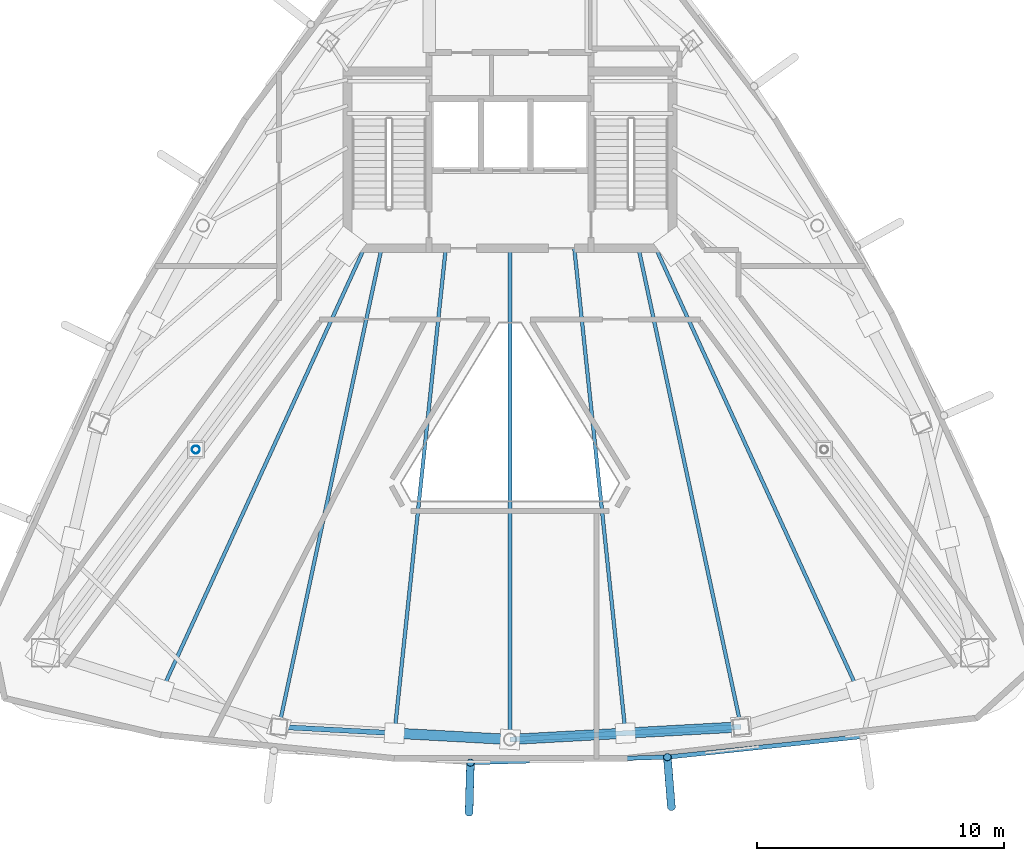
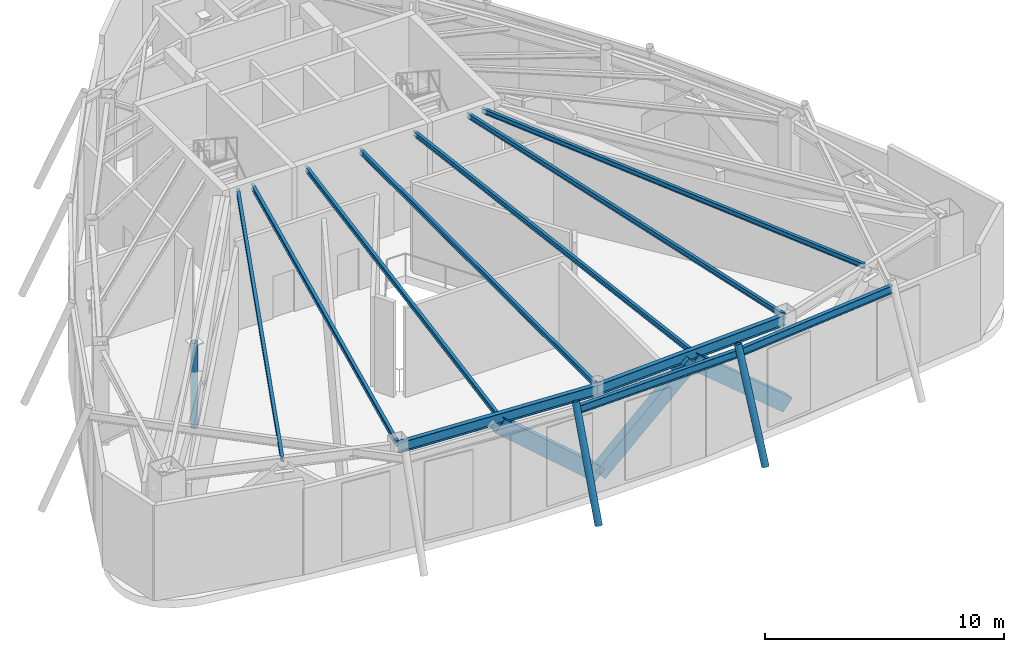
# One storey, part 2 of 9: 11 beams, 6 members.
"""IFC4 building model written with IfcOpenShell, lengths in metres."""

import ifcopenshell
import ifcopenshell.guid

model = None  # the IFC model being written
_history = None  # IfcOwnerHistory: only IFC2X3 demands one
_inside = {}  # id of a spatial element -> (the spatial element, [elements in it])
_under = {}  # id of a project, library or spatial element -> (it, [spatial elements below it])
_declared = {}  # id of a project -> (the project, [libraries it declares])
_typed = {}  # id of a type object -> (the type object, [elements of that type])
_made_of = {}  # id of a material, layer set ... -> (it, [elements and type objects made of it])


def new_model(schema):
    """Start an empty IFC model of exactly this schema.

    Asked for "IFC4X3", IfcOpenShell would pick the latest addendum, in which some entities
    have other attributes; the version numbers below select the first issue.
    IFC2X3 requires an IfcOwnerHistory on every rooted entity: one is made here for all.
    """
    global model, _history
    if schema == "IFC4X3":
        model = ifcopenshell.file(schema_version=(4, 3, 0, 0))
    else:
        model = ifcopenshell.file(schema=schema)
    _inside.clear()
    _under.clear()
    _declared.clear()
    _typed.clear()
    _made_of.clear()
    _history = None
    if model.schema == "IFC2X3":
        org = make("IfcOrganization", Name="unknown")
        user = make(
            "IfcPersonAndOrganization",
            ThePerson=make("IfcPerson", FamilyName="unknown"),
            TheOrganization=org,
        )
        app = make(
            "IfcApplication",
            ApplicationDeveloper=org,
            Version="unknown",
            ApplicationFullName="unknown",
            ApplicationIdentifier="unknown",
        )
        _history = make(
            "IfcOwnerHistory",
            OwningUser=user,
            OwningApplication=app,
            ChangeAction="ADDED",
            CreationDate=0,
        )
    return model


def make(cls, **values):
    """One entity of the class cls with the attributes given. An attribute that is None is left unset."""
    return model.create_entity(
        cls, **{name: value for name, value in values.items() if value is not None}
    )


def rooted(cls, **values):
    """An entity with a GlobalId (a new one), such as an element, a storey or a relation."""
    return make(cls, GlobalId=ifcopenshell.guid.new(), OwnerHistory=_history, **values)


def si_unit(unit_type, name, prefix=None):
    """IfcSIUnit, for example si_unit("LENGTHUNIT", "METRE", prefix="MILLI")."""
    return make("IfcSIUnit", UnitType=unit_type, Prefix=prefix, Name=name)


def assignment(units):
    """IfcUnitAssignment: the units of a project."""
    return None if units is None else make("IfcUnitAssignment", Units=units)


def point(xyz):
    """IfcCartesianPoint."""
    return None if xyz is None else make("IfcCartesianPoint", Coordinates=xyz)


def direction(xyz):
    """IfcDirection."""
    return None if xyz is None else make("IfcDirection", DirectionRatios=xyz)


def frame(location, z_axis=None, x_axis=None):
    """IfcAxis2Placement3D, a coordinate frame: its origin and axes. An axis left out is left unset."""
    return make(
        "IfcAxis2Placement3D",
        Location=point(location),
        Axis=direction(z_axis),
        RefDirection=direction(x_axis),
    )


def frame_2d(location, x_axis=None):
    """IfcAxis2Placement2D, a coordinate frame in the plane: its origin and x axis."""
    return make(
        "IfcAxis2Placement2D", Location=point(location), RefDirection=direction(x_axis)
    )


def origin():
    """The frame at (0, 0, 0) with its axes left unset."""
    return frame((0.0, 0.0, 0.0))


def origin_2d():
    """The frame at (0, 0) in the plane with its x axis left unset."""
    return frame_2d((0.0, 0.0))


def place(relative_to, where):
    """IfcLocalPlacement: puts the frame where relative to a parent placement (None: the world)."""
    return make(
        "IfcLocalPlacement", PlacementRelTo=relative_to, RelativePlacement=where
    )


def context(
    kind, dimensions, precision=None, world=None, true_north=None, identifier=None
):
    """IfcGeometricRepresentationContext, for example the 3D "Model" context."""
    return make(
        "IfcGeometricRepresentationContext",
        ContextIdentifier=identifier,
        ContextType=kind,
        CoordinateSpaceDimension=dimensions,
        Precision=precision,
        WorldCoordinateSystem=world,
        TrueNorth=true_north,
    )


def subcontext(parent, identifier, kind, view, scale=None):
    """IfcGeometricRepresentationSubContext, for example "Body" below "Model"."""
    return make(
        "IfcGeometricRepresentationSubContext",
        ContextIdentifier=identifier,
        ContextType=kind,
        ParentContext=parent,
        TargetScale=scale,
        TargetView=view,
    )


def project(units=None, contexts=None):
    """IfcProject with its units and contexts."""
    return rooted(
        "IfcProject",
        Name="project",
        RepresentationContexts=contexts,
        UnitsInContext=assignment(units),
    )


def spatial(cls, under=None, at=None, **own):
    """A site, building, storey or space (cls), placed at a placement, below another one or the project."""
    s = rooted(cls, ObjectPlacement=at, **own)
    if under is not None:
        _under.setdefault(under.id(), (under, []))[1].append(s)
    return s


def profile(cls, at=None, kind="AREA", **sizes):
    """A parametric profile (cls). Its sizes go by their IFC names, for example OverallWidth=200.0."""
    return make(cls, ProfileType=kind, Position=at, **sizes)


def hollow_rectangle(**sizes):
    """IfcRectangleHollowProfileDef."""
    return profile("IfcRectangleHollowProfileDef", **sizes)


def hollow_circle(**sizes):
    """IfcCircleHollowProfileDef."""
    return profile("IfcCircleHollowProfileDef", **sizes)


def i_section(**sizes):
    """IfcIShapeProfileDef."""
    return profile("IfcIShapeProfileDef", **sizes)


def extrude(swept, where, along, depth):
    """IfcExtrudedAreaSolid: the profile swept, set in the frame where, extruded along a direction by depth."""
    return make(
        "IfcExtrudedAreaSolid",
        SweptArea=swept,
        Position=where,
        ExtrudedDirection=direction(along),
        Depth=depth,
    )


def shape(context_of_items, identifier, shape_type, items):
    """IfcShapeRepresentation: the items that make up one representation, for example the "Body"."""
    return make(
        "IfcShapeRepresentation",
        ContextOfItems=context_of_items,
        RepresentationIdentifier=identifier,
        RepresentationType=shape_type,
        Items=items,
    )


def material(Name=None, Category=None):
    """IfcMaterial."""
    return make("IfcMaterial", Name=Name, Category=Category)


def material_profile(
    of_material, cross_section, Name=None, Category=None, Priority=None
):
    """IfcMaterialProfile: a cross section and its material."""
    return make(
        "IfcMaterialProfile",
        Name=Name,
        Material=of_material,
        Profile=cross_section,
        Priority=Priority,
        Category=Category,
    )


def profile_set(profiles, Name=None, composite=None):
    """IfcMaterialProfileSet."""
    return make(
        "IfcMaterialProfileSet",
        Name=Name,
        MaterialProfiles=profiles,
        CompositeProfile=composite,
    )


def made_of(thing, what):
    """Note that an element or type object is made of a material, layer set ...; save() writes the relation."""
    if what is not None:
        _made_of.setdefault(what.id(), (what, []))[1].append(thing)
    return thing


def type_object(cls, material=None, **own):
    """A type object (cls), such as IfcWallType, which elements share."""
    return made_of(rooted(cls, **own), material)


def element(
    cls,
    number,
    at=None,
    inside=None,
    cuts=None,
    type_object=None,
    material=None,
    context=None,
    identifier="Body",
    shape_type=None,
    held_by="IfcProductDefinitionShape",
    body=None,
    shapes=None,
    **own,
):
    """One element of the class cls, such as IfcWall. Its Tag is "e" and its number.

    at: its placement. inside: the storey or other place that contains it. cuts: it is an
    opening in that element (IfcRelVoidsElement). A single representation is given by context,
    identifier, shape_type and body (its items); several are given by shapes. held_by: the class
    of the entity that holds the representations. save() writes the other relations.
    """
    e = rooted(cls, Tag="e%d" % number, ObjectPlacement=at, **own)
    if body is not None:
        shapes = [shape(context, identifier, shape_type, body)]
    if shapes is not None:
        e.Representation = make(held_by, Representations=shapes)
    if inside is not None:
        _inside.setdefault(inside.id(), (inside, []))[1].append(e)
    if cuts is not None:
        rooted(
            "IfcRelVoidsElement", RelatingBuildingElement=cuts, RelatedOpeningElement=e
        )
    if type_object is not None:
        _typed.setdefault(type_object.id(), (type_object, []))[1].append(e)
    return made_of(e, material)


def aggregate(whole, parts):
    """IfcRelAggregates: a whole, such as a stair, and the parts it consists of."""
    return rooted("IfcRelAggregates", RelatingObject=whole, RelatedObjects=parts)


def save(model, path):
    """Write the relations noted so far, then the file.

    IfcRelAggregates (storeys below a building ...), IfcRelContainedInSpatialStructure (elements
    in a storey), IfcRelDefinesByType, IfcRelAssociatesMaterial and IfcRelDeclares: one each for
    every whole, place, type object, material and project.
    """
    for whole, parts in _under.values():
        aggregate(whole, parts)
    for where, things in _inside.values():
        rooted(
            "IfcRelContainedInSpatialStructure",
            RelatedElements=things,
            RelatingStructure=where,
        )
    for kind, things in _typed.values():
        rooted("IfcRelDefinesByType", RelatedObjects=things, RelatingType=kind)
    for what, things in _made_of.values():
        rooted("IfcRelAssociatesMaterial", RelatedObjects=things, RelatingMaterial=what)
    for by, libraries in _declared.values():
        rooted("IfcRelDeclares", RelatingContext=by, RelatedDefinitions=libraries)
    model.write(path)


model = new_model("IFC4")

# Units and contexts
model_context = context("Model", 3, precision=1e-05, world=origin(), true_north=direction((0.0, 1.0)))
body_context = subcontext(model_context, "Body", "Model", "MODEL_VIEW")
ifc_project = project(units=[si_unit("LENGTHUNIT", "METRE"), si_unit("AREAUNIT", "SQUARE_METRE"), si_unit("VOLUMEUNIT", "CUBIC_METRE"), si_unit("PLANEANGLEUNIT", "RADIAN"), si_unit("MASSUNIT", "GRAM", prefix="KILO")], contexts=[model_context])

# Site, building, storey
site_placement = place(None, origin())
site = spatial("IfcSite", under=ifc_project, at=site_placement, CompositionType="ELEMENT")
building_placement = place(site_placement, origin())
building = spatial("IfcBuilding", under=site, at=building_placement, Name="Orvanel Arch Residences", CompositionType="ELEMENT")
storey_placement = place(building_placement, frame((0.0, 0.0, 281.0)))
storey = spatial("IfcBuildingStorey", under=building, at=storey_placement, Name="L80", CompositionType="ELEMENT", Elevation=281.0)

# Beams
ifc_material_1 = material(Name="Structural steel AS/NZS 3679.1 Grade 300 (300 MPa)", Category="steel")
ifc_material_profile_1 = material_profile(ifc_material_1, i_section(OverallWidth=0.14599609375, OverallDepth=0.251953125, WebThickness=0.006103515625, FlangeThickness=0.008544921875, at=origin_2d()), Name="250UB31.4")
ifc_profile_set_1 = profile_set([ifc_material_profile_1], Name="Structural steel AS/NZS 3679.1 Grade 300 (300 MPa)")
beam_type_1 = type_object("IfcBeamType", Name="BJ-250UB", PredefinedType="JOIST", material=ifc_profile_set_1)
for number, where, z_axis, x_axis, name in (
    (1, (27.800048828125, 26.72509765625, 4.72412109375), (-0.209547604985, -0.977798446125, 0.0), (0.977798446125, -0.209547604985, 0.0), "L80 SW Wing Floor Joist"),
    (2, (38.199951171875, 26.72509765625, 4.72412109375), (0.209547604985, -0.977798446125, 0.0), (0.977798446125, 0.209547604985, 0.0), "L80 SE Wing Floor Joist"),
):
    element("IfcBeam", number, at=place(storey_placement, frame(where, z_axis=z_axis, x_axis=x_axis)), inside=storey, type_object=beam_type_1, Name=name, PredefinedType="JOIST", context=body_context, shape_type="SweptSolid", body=[
        extrude(i_section(OverallWidth=0.14599609375, OverallDepth=0.251953125, WebThickness=0.006103515625, FlangeThickness=0.008544921875, at=origin_2d()), origin(), (0.0, 0.0, 1.0), 19.809814453125),
    ])
beam_1_placement = place(storey_placement, frame((33.0, 26.72509765625, 4.72412109375), z_axis=(0.0, -1.0, 0.0), x_axis=(1.0, 0.0, 0.0)))
element("IfcBeam", 3, at=beam_1_placement, inside=storey, type_object=beam_type_1, Name="L80 SSW Wing Floor Joist", PredefinedType="JOIST", context=body_context, shape_type="SweptSolid", body=[
    extrude(i_section(OverallWidth=0.14599609375, OverallDepth=0.251953125, WebThickness=0.006103515625, FlangeThickness=0.008544921875, at=origin_2d()), origin(), (0.0, 0.0, 1.0), 19.881103515625),
])
for number, where, z_axis, x_axis, name in (
    (4, (30.39990234375, 26.72509765625, 4.72412109375), (-0.105143936131, -0.994457014, 0.0), (0.994457014, -0.105143936131, 0.0), "L80 WSW2 Wing Floor Joist"),
    (5, (35.60009765625, 26.72509765625, 4.72412109375), (0.105143936131, -0.994457014, 0.0), (0.994457014, 0.105143936131, 0.0), "L80 ESE2 Wing Floor Joist"),
):
    element("IfcBeam", number, at=place(storey_placement, frame(where, z_axis=z_axis, x_axis=x_axis)), inside=storey, type_object=beam_type_1, Name=name, PredefinedType="JOIST", context=body_context, shape_type="SweptSolid", body=[
        extrude(i_section(OverallWidth=0.14599609375, OverallDepth=0.251953125, WebThickness=0.006103515625, FlangeThickness=0.008544921875, at=origin_2d()), origin(), (0.0, 0.0, 1.0), 19.734375),
    ])
for number, where, z_axis, x_axis, name in (
    (6, (27.10009765625, 26.72509765625, 4.72412109375), (-0.416009574066, -0.909360233508, 0.0), (0.909360233508, -0.416009574066, 0.0), "L80 JADD1 Wing Floor Joist"),
    (7, (38.89990234375, 26.72509765625, 4.72412109375), (0.416009574066, -0.909360233508, 0.0), (0.909360233508, 0.416009574066, 0.0), "L80 JADD2 Wing Floor Joist"),
):
    element("IfcBeam", number, at=place(storey_placement, frame(where, z_axis=z_axis, x_axis=x_axis)), inside=storey, type_object=beam_type_1, Name=name, PredefinedType="JOIST", context=body_context, shape_type="SweptSolid", body=[
        extrude(i_section(OverallWidth=0.14599609375, OverallDepth=0.251953125, WebThickness=0.006103515625, FlangeThickness=0.008544921875, at=origin_2d()), origin(), (0.0, 0.0, 1.0), 19.653564453125),
    ])

# Members
ifc_material_2 = material(Name="Structural steel AS/NZS 3678 Grade 350", Category="steel")
ifc_material_profile_2 = material_profile(ifc_material_2, hollow_rectangle(XDim=0.419921875, YDim=0.719970703125, WallThickness=0.02490234375, at=origin_2d()), Name="RHS720x420x25")
ifc_profile_set_2 = profile_set([ifc_material_profile_2], Name="Structural steel AS/NZS 3678 Grade 350")
member_type_1 = type_object("IfcMemberType", Name="BR-720RHS", PredefinedType="BRACE", material=ifc_profile_set_2)
for number, where, z_axis, x_axis, name in (
    (8, (33.0, 6.843994140625, 0.300048828125), (-0.759175913478, 0.041588361441, 0.649555494617), (-0.054698915632, -0.998502893651, 0.0), "L80 Belt-Truss Chevron 03.2"),
    (9, (33.0, 6.843994140625, 0.300048828125), (0.759175913478, 0.041588361441, 0.649555494617), (-0.054698915632, 0.998502893651, 0.0), "L80 Belt-Truss Chevron 04.1"),
):
    element("IfcMember", number, at=place(storey_placement, frame(where, z_axis=z_axis, x_axis=x_axis)), inside=storey, type_object=member_type_1, Name=name, PredefinedType="BRACE", context=body_context, shape_type="SweptSolid", body=[
        extrude(hollow_rectangle(XDim=0.419921875, YDim=0.719970703125, WallThickness=0.02490234375, at=origin_2d()), origin(), (0.0, 0.0, 1.0), 6.157958984375),
    ])
member_1_placement = place(storey_placement, frame((42.35107421875, 7.35498046875, 0.300048828125), z_axis=(-0.759249328151, -0.04138549045, 0.6494826394), x_axis=(0.054427635214, -0.998517717682, 0.0)))
element("IfcMember", 10, at=member_1_placement, inside=storey, type_object=member_type_1, Name="L80 Belt-Truss Chevron 04.2", PredefinedType="BRACE", context=body_context, shape_type="SweptSolid", body=[
    extrude(hollow_rectangle(XDim=0.419921875, YDim=0.719970703125, WallThickness=0.02490234375, at=origin_2d()), origin(), (0.0, 0.0, 1.0), 6.15869140625),
])

# Beams
ifc_material_profile_3 = material_profile(ifc_material_1, i_section(OverallWidth=0.177978515625, OverallDepth=0.406005859375, WebThickness=0.0078125, FlangeThickness=0.0126953125, at=origin_2d()), Name="410UB59.7")
ifc_profile_set_3 = profile_set([ifc_material_profile_3], Name="Structural steel AS/NZS 3679.1 Grade 300 (300 MPa)")
beam_type_2 = type_object("IfcBeamType", Name="OB-410UB-EXT", PredefinedType="SPANDREL", material=ifc_profile_set_3)
beam_2_placement = place(storey_placement, frame((31.39892578125, 5.908935546875, 4.64697265625), z_axis=(0.999611510585, 0.027871632645, 0.0), x_axis=(-0.027871632645, 0.999611510585, 0.0)))
element("IfcBeam", 11, at=beam_2_placement, inside=storey, type_object=beam_type_2, Name="L80 Outer Perimeter Floor Ring Beam 06", PredefinedType="SPANDREL", context=body_context, shape_type="SweptSolid", body=[
    extrude(i_section(OverallWidth=0.177978515625, OverallDepth=0.406005859375, WebThickness=0.0078125, FlangeThickness=0.0126953125, at=origin_2d()), origin(), (0.0, 0.0, 1.0), 7.97119140625),
])
beam_3_placement = place(storey_placement, frame((39.366943359375, 6.131103515625, 4.64697265625), z_axis=(0.994445876363, 0.1052492232, 0.0), x_axis=(-0.1052492232, 0.994445876363, 0.0)))
element("IfcBeam", 12, at=beam_3_placement, inside=storey, type_object=beam_type_2, Name="L80 Outer Perimeter Floor Ring Beam 07", PredefinedType="SPANDREL", context=body_context, shape_type="SweptSolid", body=[
    extrude(i_section(OverallWidth=0.177978515625, OverallDepth=0.406005859375, WebThickness=0.0078125, FlangeThickness=0.0126953125, at=origin_2d()), origin(), (0.0, 0.0, 1.0), 7.97021484375),
])
ifc_material_profile_4 = material_profile(ifc_material_1, i_section(OverallWidth=0.208984375, OverallDepth=0.532958984375, WebThickness=0.01025390625, FlangeThickness=0.015625, at=origin_2d()), Name="530UB92.4")
ifc_profile_set_4 = profile_set([ifc_material_profile_4], Name="Structural steel AS/NZS 3679.1 Grade 300 (300 MPa)")
beam_type_3 = type_object("IfcBeamType", Name="SP-530UB", PredefinedType="SPANDREL", material=ifc_profile_set_4)
for number, where, z_axis, x_axis, name in (
    (13, (23.64892578125, 7.35498046875, 4.583984375), (0.998510315598, -0.054563262768, 0.0), (0.054563262768, 0.998510315598, 0.0), "L80 Perimeter Spandrel Beam 03"),
    (14, (33.0, 6.843994140625, 4.583984375), (0.998510315598, 0.054563262768, 0.0), (-0.054563262768, 0.998510315598, 0.0), "L80 Perimeter Spandrel Beam 04"),
):
    element("IfcBeam", number, at=place(storey_placement, frame(where, z_axis=z_axis, x_axis=x_axis)), inside=storey, type_object=beam_type_3, Name=name, PredefinedType="SPANDREL", context=body_context, shape_type="SweptSolid", body=[
        extrude(i_section(OverallWidth=0.208984375, OverallDepth=0.532958984375, WebThickness=0.01025390625, FlangeThickness=0.015625, at=origin_2d()), origin(), (0.0, 0.0, 1.0), 9.364990234375),
    ])

# Members
ifc_material_3 = material(Name="Structural steel AS/NZS 1163 C350L0 (Grade 350)", Category="steel")
ifc_material_profile_5 = material_profile(ifc_material_3, hollow_circle(Radius=0.162109375, WallThickness=0.0126953125, at=origin_2d()), Name="CHS324x12.7")
ifc_profile_set_5 = profile_set([ifc_material_profile_5], Name="Structural steel AS/NZS 1163 C350L0 (Grade 350)")
member_type_2 = type_object("IfcMemberType", Name="ST-324CHS", PredefinedType="STRUT", material=ifc_profile_set_5)
member_2_placement = place(storey_placement, frame((20.287109375, 18.575927734375, 0.0), z_axis=(0.0, 0.0, 1.0), x_axis=(1.0, 0.0, 0.0)))
element("IfcMember", 15, at=member_2_placement, inside=storey, type_object=member_type_2, Name="L80 Outrigger Vertical Web Strut 2", PredefinedType="STRUT", context=body_context, shape_type="SweptSolid", body=[
    extrude(hollow_circle(Radius=0.162109375, WallThickness=0.0126953125, at=origin_2d()), origin(), (0.0, 0.0, 1.0), 4.35009765625),
])
ifc_material_profile_6 = material_profile(ifc_material_3, hollow_circle(Radius=0.162109375, WallThickness=0.0126953125, at=origin_2d()), Name="CHS324x12.7")
ifc_profile_set_6 = profile_set([ifc_material_profile_6], Name="Structural steel AS/NZS 1163 C350L0 (Grade 350)")
member_type_3 = type_object("IfcMemberType", Name="ST-324CHS-EXT", PredefinedType="STRUT", material=ifc_profile_set_6)
member_3_placement = place(storey_placement, frame((31.342041015625, 3.889892578125, 0.0), z_axis=(0.010370014122, 0.368068741584, 0.929740751111), x_axis=(-0.999603345514, 0.028162947945, 0.0)))
element("IfcMember", 16, at=member_3_placement, inside=storey, type_object=member_type_3, Name="L80 Outer Perimeter Frame Post 06", PredefinedType="STRUT", context=body_context, shape_type="SweptSolid", body=[
    extrude(hollow_circle(Radius=0.162109375, WallThickness=0.0126953125, at=origin_2d()), origin(), (0.0, 0.0, 1.0), 5.485595703125),
])
member_4_placement = place(storey_placement, frame((39.530029296875, 4.116943359375, 0.0), z_axis=(-0.029728529162, 0.367156235911, 0.929684093112), x_axis=(-0.996737984905, -0.080705572596, 0.0)))
element("IfcMember", 17, at=member_4_placement, inside=storey, type_object=member_type_3, Name="L80 Outer Perimeter Frame Post 07", PredefinedType="STRUT", context=body_context, shape_type="SweptSolid", body=[
    extrude(hollow_circle(Radius=0.162109375, WallThickness=0.0126953125, at=origin_2d()), origin(), (0.0, 0.0, 1.0), 5.48583984375),
])

save(model, "model.ifc")
